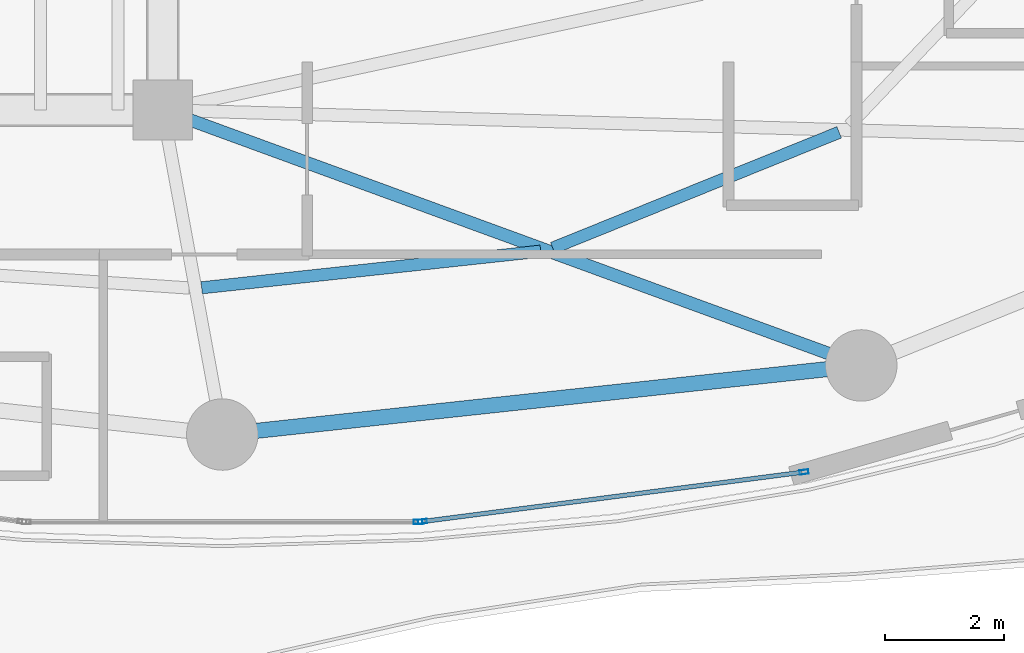
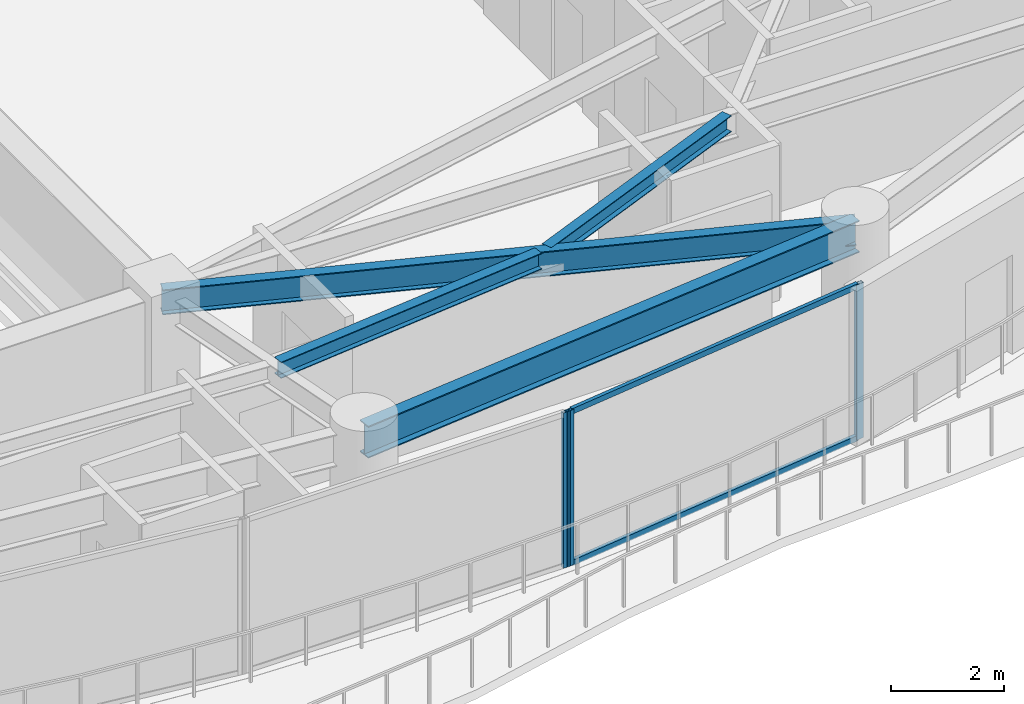
# One storey, part 9 of 31: 5 members, 4 beams, 2 elements without a shape of their own.
"""IFC4 building model written with IfcOpenShell, lengths in metres."""

import ifcopenshell
import ifcopenshell.guid

model = None  # the IFC model being written
_history = None  # IfcOwnerHistory: only IFC2X3 demands one
_inside = {}  # id of a spatial element -> (the spatial element, [elements in it])
_under = {}  # id of a project, library or spatial element -> (it, [spatial elements below it])
_declared = {}  # id of a project -> (the project, [libraries it declares])
_typed = {}  # id of a type object -> (the type object, [elements of that type])
_made_of = {}  # id of a material, layer set ... -> (it, [elements and type objects made of it])


def new_model(schema):
    """Start an empty IFC model of exactly this schema.

    Asked for "IFC4X3", IfcOpenShell would pick the latest addendum, in which some entities
    have other attributes; the version numbers below select the first issue.
    IFC2X3 requires an IfcOwnerHistory on every rooted entity: one is made here for all.
    """
    global model, _history
    if schema == "IFC4X3":
        model = ifcopenshell.file(schema_version=(4, 3, 0, 0))
    else:
        model = ifcopenshell.file(schema=schema)
    _inside.clear()
    _under.clear()
    _declared.clear()
    _typed.clear()
    _made_of.clear()
    _history = None
    if model.schema == "IFC2X3":
        org = make("IfcOrganization", Name="unknown")
        user = make(
            "IfcPersonAndOrganization",
            ThePerson=make("IfcPerson", FamilyName="unknown"),
            TheOrganization=org,
        )
        app = make(
            "IfcApplication",
            ApplicationDeveloper=org,
            Version="unknown",
            ApplicationFullName="unknown",
            ApplicationIdentifier="unknown",
        )
        _history = make(
            "IfcOwnerHistory",
            OwningUser=user,
            OwningApplication=app,
            ChangeAction="ADDED",
            CreationDate=0,
        )
    return model


def make(cls, **values):
    """One entity of the class cls with the attributes given. An attribute that is None is left unset."""
    return model.create_entity(
        cls, **{name: value for name, value in values.items() if value is not None}
    )


def rooted(cls, **values):
    """An entity with a GlobalId (a new one), such as an element, a storey or a relation."""
    return make(cls, GlobalId=ifcopenshell.guid.new(), OwnerHistory=_history, **values)


def si_unit(unit_type, name, prefix=None):
    """IfcSIUnit, for example si_unit("LENGTHUNIT", "METRE", prefix="MILLI")."""
    return make("IfcSIUnit", UnitType=unit_type, Prefix=prefix, Name=name)


def assignment(units):
    """IfcUnitAssignment: the units of a project."""
    return None if units is None else make("IfcUnitAssignment", Units=units)


def point(xyz):
    """IfcCartesianPoint."""
    return None if xyz is None else make("IfcCartesianPoint", Coordinates=xyz)


def direction(xyz):
    """IfcDirection."""
    return None if xyz is None else make("IfcDirection", DirectionRatios=xyz)


def frame(location, z_axis=None, x_axis=None):
    """IfcAxis2Placement3D, a coordinate frame: its origin and axes. An axis left out is left unset."""
    return make(
        "IfcAxis2Placement3D",
        Location=point(location),
        Axis=direction(z_axis),
        RefDirection=direction(x_axis),
    )


def frame_2d(location, x_axis=None):
    """IfcAxis2Placement2D, a coordinate frame in the plane: its origin and x axis."""
    return make(
        "IfcAxis2Placement2D", Location=point(location), RefDirection=direction(x_axis)
    )


def origin():
    """The frame at (0, 0, 0) with its axes left unset."""
    return frame((0.0, 0.0, 0.0))


def origin_2d():
    """The frame at (0, 0) in the plane with its x axis left unset."""
    return frame_2d((0.0, 0.0))


def place(relative_to, where):
    """IfcLocalPlacement: puts the frame where relative to a parent placement (None: the world)."""
    return make(
        "IfcLocalPlacement", PlacementRelTo=relative_to, RelativePlacement=where
    )


def context(
    kind, dimensions, precision=None, world=None, true_north=None, identifier=None
):
    """IfcGeometricRepresentationContext, for example the 3D "Model" context."""
    return make(
        "IfcGeometricRepresentationContext",
        ContextIdentifier=identifier,
        ContextType=kind,
        CoordinateSpaceDimension=dimensions,
        Precision=precision,
        WorldCoordinateSystem=world,
        TrueNorth=true_north,
    )


def subcontext(parent, identifier, kind, view, scale=None):
    """IfcGeometricRepresentationSubContext, for example "Body" below "Model"."""
    return make(
        "IfcGeometricRepresentationSubContext",
        ContextIdentifier=identifier,
        ContextType=kind,
        ParentContext=parent,
        TargetScale=scale,
        TargetView=view,
    )


def project(units=None, contexts=None):
    """IfcProject with its units and contexts."""
    return rooted(
        "IfcProject",
        Name="project",
        RepresentationContexts=contexts,
        UnitsInContext=assignment(units),
    )


def spatial(cls, under=None, at=None, **own):
    """A site, building, storey or space (cls), placed at a placement, below another one or the project."""
    s = rooted(cls, ObjectPlacement=at, **own)
    if under is not None:
        _under.setdefault(under.id(), (under, []))[1].append(s)
    return s


def profile(cls, at=None, kind="AREA", **sizes):
    """A parametric profile (cls). Its sizes go by their IFC names, for example OverallWidth=200.0."""
    return make(cls, ProfileType=kind, Position=at, **sizes)


def hollow_rectangle(**sizes):
    """IfcRectangleHollowProfileDef."""
    return profile("IfcRectangleHollowProfileDef", **sizes)


def i_section(**sizes):
    """IfcIShapeProfileDef."""
    return profile("IfcIShapeProfileDef", **sizes)


def extrude(swept, where, along, depth):
    """IfcExtrudedAreaSolid: the profile swept, set in the frame where, extruded along a direction by depth."""
    return make(
        "IfcExtrudedAreaSolid",
        SweptArea=swept,
        Position=where,
        ExtrudedDirection=direction(along),
        Depth=depth,
    )


def shape(context_of_items, identifier, shape_type, items):
    """IfcShapeRepresentation: the items that make up one representation, for example the "Body"."""
    return make(
        "IfcShapeRepresentation",
        ContextOfItems=context_of_items,
        RepresentationIdentifier=identifier,
        RepresentationType=shape_type,
        Items=items,
    )


def material(Name=None, Category=None):
    """IfcMaterial."""
    return make("IfcMaterial", Name=Name, Category=Category)


def layer(
    of_material, thickness, ventilated=None, Name=None, Category=None, Priority=None
):
    """IfcMaterialLayer: one layer of a wall or slab, of a material (None: an air gap)."""
    return make(
        "IfcMaterialLayer",
        Material=of_material,
        LayerThickness=thickness,
        IsVentilated=ventilated,
        Name=Name,
        Category=Category,
        Priority=Priority,
    )


def layer_set(layers, Name=None):
    """IfcMaterialLayerSet."""
    return make("IfcMaterialLayerSet", MaterialLayers=layers, LayerSetName=Name)


def material_profile(
    of_material, cross_section, Name=None, Category=None, Priority=None
):
    """IfcMaterialProfile: a cross section and its material."""
    return make(
        "IfcMaterialProfile",
        Name=Name,
        Material=of_material,
        Profile=cross_section,
        Priority=Priority,
        Category=Category,
    )


def profile_set(profiles, Name=None, composite=None):
    """IfcMaterialProfileSet."""
    return make(
        "IfcMaterialProfileSet",
        Name=Name,
        MaterialProfiles=profiles,
        CompositeProfile=composite,
    )


def made_of(thing, what):
    """Note that an element or type object is made of a material, layer set ...; save() writes the relation."""
    if what is not None:
        _made_of.setdefault(what.id(), (what, []))[1].append(thing)
    return thing


def type_object(cls, material=None, **own):
    """A type object (cls), such as IfcWallType, which elements share."""
    return made_of(rooted(cls, **own), material)


def element(
    cls,
    number,
    at=None,
    inside=None,
    cuts=None,
    type_object=None,
    material=None,
    context=None,
    identifier="Body",
    shape_type=None,
    held_by="IfcProductDefinitionShape",
    body=None,
    shapes=None,
    **own,
):
    """One element of the class cls, such as IfcWall. Its Tag is "e" and its number.

    at: its placement. inside: the storey or other place that contains it. cuts: it is an
    opening in that element (IfcRelVoidsElement). A single representation is given by context,
    identifier, shape_type and body (its items); several are given by shapes. held_by: the class
    of the entity that holds the representations. save() writes the other relations.
    """
    e = rooted(cls, Tag="e%d" % number, ObjectPlacement=at, **own)
    if body is not None:
        shapes = [shape(context, identifier, shape_type, body)]
    if shapes is not None:
        e.Representation = make(held_by, Representations=shapes)
    if inside is not None:
        _inside.setdefault(inside.id(), (inside, []))[1].append(e)
    if cuts is not None:
        rooted(
            "IfcRelVoidsElement", RelatingBuildingElement=cuts, RelatedOpeningElement=e
        )
    if type_object is not None:
        _typed.setdefault(type_object.id(), (type_object, []))[1].append(e)
    return made_of(e, material)


def aggregate(whole, parts):
    """IfcRelAggregates: a whole, such as a stair, and the parts it consists of."""
    return rooted("IfcRelAggregates", RelatingObject=whole, RelatedObjects=parts)


def save(model, path):
    """Write the relations noted so far, then the file.

    IfcRelAggregates (storeys below a building ...), IfcRelContainedInSpatialStructure (elements
    in a storey), IfcRelDefinesByType, IfcRelAssociatesMaterial and IfcRelDeclares: one each for
    every whole, place, type object, material and project.
    """
    for whole, parts in _under.values():
        aggregate(whole, parts)
    for where, things in _inside.values():
        rooted(
            "IfcRelContainedInSpatialStructure",
            RelatedElements=things,
            RelatingStructure=where,
        )
    for kind, things in _typed.values():
        rooted("IfcRelDefinesByType", RelatedObjects=things, RelatingType=kind)
    for what, things in _made_of.values():
        rooted("IfcRelAssociatesMaterial", RelatedObjects=things, RelatingMaterial=what)
    for by, libraries in _declared.values():
        rooted("IfcRelDeclares", RelatingContext=by, RelatedDefinitions=libraries)
    model.write(path)


model = new_model("IFC4")

# Units and contexts
model_context = context("Model", 3, precision=1e-05, world=origin(), true_north=direction((0.0, 1.0)))
body_context = subcontext(model_context, "Body", "Model", "MODEL_VIEW")
ifc_project = project(units=[si_unit("LENGTHUNIT", "METRE"), si_unit("AREAUNIT", "SQUARE_METRE"), si_unit("VOLUMEUNIT", "CUBIC_METRE"), si_unit("PLANEANGLEUNIT", "RADIAN"), si_unit("MASSUNIT", "GRAM", prefix="KILO")], contexts=[model_context])

# Site, building, storey
site_placement = place(None, origin())
site = spatial("IfcSite", under=ifc_project, at=site_placement, CompositionType="ELEMENT")
building_placement = place(site_placement, origin())
building = spatial("IfcBuilding", under=site, at=building_placement, Name="Kazevale Care Tower and Concert Hall", CompositionType="ELEMENT")
storey_placement = place(building_placement, frame((0.0, 0.0, 117.0)))
storey = spatial("IfcBuildingStorey", under=building, at=storey_placement, Name="L30", CompositionType="ELEMENT", Elevation=117.0)

# Curtain wall, members
ifc_material_1 = material(Name="Aluminium 6063-T6 and Low-E Glass", Category="aluminium")
ifc_layer = layer(ifc_material_1, 0.179931640625)
ifc_layer_set = layer_set([ifc_layer], Name="Aluminium 6063-T6 and Low-E Glass")
curtain_wall_type = type_object("IfcCurtainWallType", Name="Sheltered Concave Balcony Curtain Wall CW-5", PredefinedType="NOTDEFINED", material=ifc_layer_set)
curtain_wall_1_placement = place(storey_placement, origin())
curtain_wall_1 = element("IfcCurtainWall", 1, at=curtain_wall_1_placement, inside=storey, type_object=curtain_wall_type, Name="cw:L30:f05", PredefinedType="NOTDEFINED")
ifc_material_2 = material(Name="Aluminium 6063-T6", Category="aluminium")
ifc_material_profile_1 = material_profile(ifc_material_2, hollow_rectangle(XDim=0.074951171875, YDim=0.14990234375, WallThickness=0.00390625, at=origin_2d()), Name="ALU75x150x4")
ifc_profile_set_1 = profile_set([ifc_material_profile_1], Name="Aluminium 6063-T6")
member_type_1 = type_object("IfcMemberType", Name="CW-5 Mullion ALU75x150x4", PredefinedType="MULLION", material=ifc_profile_set_1)
member_1_placement = place(storey_placement, frame((54.768798828125, 17.520263671875, 0.0), z_axis=(0.0, 0.0, 1.0), x_axis=(0.12868500567, -0.991685519364, 0.0)))
member_1 = element("IfcMember", 2, at=member_1_placement, type_object=member_type_1, Name="CW-5 mullion 1", PredefinedType="MULLION", context=body_context, shape_type="SweptSolid", body=[
    extrude(hollow_rectangle(XDim=0.074951171875, YDim=0.14990234375, WallThickness=0.00390625, at=origin_2d()), origin(), (0.0, 0.0, 1.0), 3.360107421875),
])
member_2_placement = place(storey_placement, frame((48.3623046875, 16.688720703125, 0.0), z_axis=(0.0, 0.0, 1.0), x_axis=(0.12868500567, -0.991685519364, 0.0)))
member_2 = element("IfcMember", 3, at=member_2_placement, type_object=member_type_1, Name="CW-5 mullion 2", PredefinedType="MULLION", context=body_context, shape_type="SweptSolid", body=[
    extrude(hollow_rectangle(XDim=0.074951171875, YDim=0.14990234375, WallThickness=0.00390625, at=origin_2d()), origin(), (0.0, 0.0, 1.0), 3.360107421875),
])

# Curtain wall, member
curtain_wall_2_placement = place(storey_placement, origin())
curtain_wall_2 = element("IfcCurtainWall", 4, at=curtain_wall_2_placement, inside=storey, type_object=curtain_wall_type, Name="cw:L30:f06", PredefinedType="NOTDEFINED")
member_3_placement = place(storey_placement, frame((48.28759765625, 16.68408203125, 0.0), z_axis=(0.0, 0.0, 1.0), x_axis=(0.0, -1.0, 0.0)))
member_3 = element("IfcMember", 5, at=member_3_placement, type_object=member_type_1, Name="CW-5 mullion 1", PredefinedType="MULLION", context=body_context, shape_type="SweptSolid", body=[
    extrude(hollow_rectangle(XDim=0.074951171875, YDim=0.14990234375, WallThickness=0.00390625, at=origin_2d()), origin(), (0.0, 0.0, 1.0), 3.360107421875),
])
aggregate(curtain_wall_2, [member_3])

# Member
ifc_material_profile_2 = material_profile(ifc_material_2, hollow_rectangle(XDim=0.074951171875, YDim=0.1201171875, WallThickness=0.00390625, at=origin_2d()), Name="ALU75x120x4")
ifc_profile_set_2 = profile_set([ifc_material_profile_2], Name="Aluminium 6063-T6")
member_type_2 = type_object("IfcMemberType", Name="CW-5 Transom ALU75x120x4", PredefinedType="USERDEFINED", material=ifc_profile_set_2)
member_4_placement = place(storey_placement, frame((54.731689453125, 17.515380859375, 0.03759765625), z_axis=(-0.991683991743, -0.12869677743, 0.0), x_axis=(0.12869677743, -0.991683991743, 0.0)))
member_4 = element("IfcMember", 6, at=member_4_placement, type_object=member_type_2, Name="CW-5 transom 1.1", ObjectType="TRANSOM", PredefinedType="USERDEFINED", context=body_context, shape_type="SweptSolid", body=[
    extrude(hollow_rectangle(XDim=0.074951171875, YDim=0.1201171875, WallThickness=0.00390625, at=origin_2d()), origin(), (0.0, 0.0, 1.0), 6.385498046875),
])

member_5_placement = place(storey_placement, frame((54.731689453125, 17.515380859375, 3.322509765625), z_axis=(-0.991683991743, -0.12869677743, 0.0), x_axis=(0.12869677743, -0.991683991743, 0.0)))
member_5 = element("IfcMember", 7, at=member_5_placement, type_object=member_type_2, Name="CW-5 transom 1.2", ObjectType="TRANSOM", PredefinedType="USERDEFINED", context=body_context, shape_type="SweptSolid", body=[
    extrude(hollow_rectangle(XDim=0.074951171875, YDim=0.1201171875, WallThickness=0.00390625, at=origin_2d()), origin(), (0.0, 0.0, 1.0), 6.385498046875),
])

aggregate(curtain_wall_1, [member_1, member_2, member_4, member_5])

# Beams
ifc_material_3 = material(Name="Steel ASTM A572 Gr 50", Category="steel")
ifc_material_profile_3 = material_profile(ifc_material_3, i_section(OverallWidth=0.2119140625, OverallDepth=0.5439453125, WebThickness=0.01318359375, FlangeThickness=0.021240234375, at=origin_2d()), Name="W530x123")
ifc_profile_set_3 = profile_set([ifc_material_profile_3], Name="Steel ASTM A572 Gr 50")
beam_type_1 = type_object("IfcBeamType", Name="Radial Floor Girder W530x123", PredefinedType="BEAM", material=ifc_profile_set_3)
beam_1_placement = place(storey_placement, frame((44.0, 23.60009765625, 3.087890625), z_axis=(0.939159459123, -0.343481455599, 0.0), x_axis=(0.343481455599, 0.939159459123, 0.0)))
element("IfcBeam", 8, at=beam_1_placement, inside=storey, type_object=beam_type_1, Name="beam:L30:rad:14", PredefinedType="BEAM", context=body_context, shape_type="SweptSolid", body=[
    extrude(i_section(OverallWidth=0.2119140625, OverallDepth=0.5439453125, WebThickness=0.01318359375, FlangeThickness=0.021240234375, at=origin_2d()), origin(), (0.0, 0.0, 1.0), 12.489990234375),
])
ifc_material_profile_4 = material_profile(ifc_material_3, i_section(OverallWidth=0.205078125, OverallDepth=0.35400390625, WebThickness=0.009521484375, FlangeThickness=0.016845703125, at=origin_2d()), Name="W360x79")
ifc_profile_set_4 = profile_set([ifc_material_profile_4], Name="Steel ASTM A572 Gr 50")
beam_type_2 = type_object("IfcBeamType", Name="Secondary Floor Joist W360x79", PredefinedType="JOIST", material=ifc_profile_set_4)
beam_2_placement = place(storey_placement, frame((44.654052734375, 20.614013671875, 3.18310546875), z_axis=(0.994215541126, 0.107403248482, 0.0), x_axis=(-0.107403248482, 0.994215541126, 0.0)))
element("IfcBeam", 9, at=beam_2_placement, inside=storey, type_object=beam_type_2, Name="beam:L30:joist:13", PredefinedType="JOIST", context=body_context, shape_type="SweptSolid", body=[
    extrude(i_section(OverallWidth=0.205078125, OverallDepth=0.35400390625, WebThickness=0.009521484375, FlangeThickness=0.016845703125, at=origin_2d()), origin(), (0.0, 0.0, 1.0), 5.72607421875),
])
beam_3_placement = place(storey_placement, frame((50.549072265625, 21.280029296875, 3.18310546875), z_axis=(0.927064833216, 0.374901046964, 0.0), x_axis=(-0.374901046964, 0.927064833216, 0.0)))
element("IfcBeam", 10, at=beam_3_placement, inside=storey, type_object=beam_type_2, Name="beam:L30:joist:14", PredefinedType="JOIST", context=body_context, shape_type="SweptSolid", body=[
    extrude(i_section(OverallWidth=0.205078125, OverallDepth=0.35400390625, WebThickness=0.009521484375, FlangeThickness=0.016845703125, at=origin_2d()), origin(), (0.0, 0.0, 1.0), 5.188232421875),
])
ifc_material_profile_5 = material_profile(ifc_material_3, i_section(OverallWidth=0.256103515625, OverallDepth=0.693115234375, WebThickness=0.014404296875, FlangeThickness=0.023681640625, at=origin_2d()), Name="W690x170")
ifc_profile_set_5 = profile_set([ifc_material_profile_5], Name="Steel ASTM A572 Gr 50")
beam_type_3 = type_object("IfcBeamType", Name="Waist Ring Beam W690x170", PredefinedType="BEAM", material=ifc_profile_set_5)
beam_4_placement = place(storey_placement, frame((45.0, 18.14990234375, 3.013427734375), z_axis=(0.994205479487, 0.107496346724, 0.0), x_axis=(-0.107496346724, 0.994205479487, 0.0)))
element("IfcBeam", 11, at=beam_4_placement, inside=storey, type_object=beam_type_3, Name="beam:L30:ring:13", PredefinedType="BEAM", context=body_context, shape_type="SweptSolid", body=[
    extrude(i_section(OverallWidth=0.256103515625, OverallDepth=0.693115234375, WebThickness=0.014404296875, FlangeThickness=0.023681640625, at=origin_2d()), origin(), (0.0, 0.0, 1.0), 10.79248046875),
])

save(model, "model.ifc")
